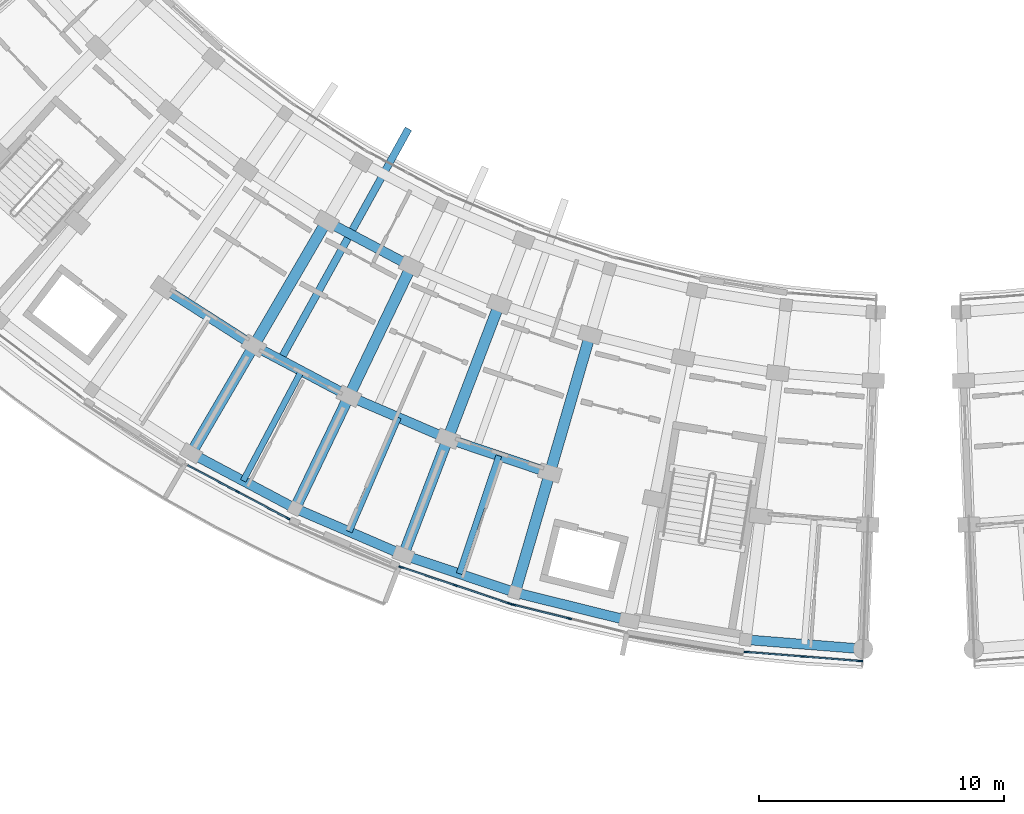
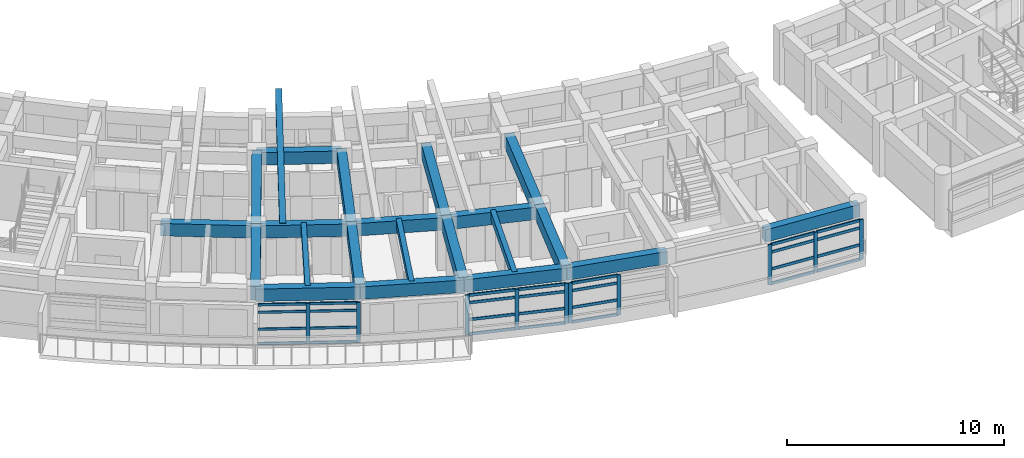
# One storey, part 11 of 70: 38 members, 22 beams, 4 elements without a shape of their own.
"""IFC4 building model written with IfcOpenShell, lengths in metres."""

from ifc_helpers import new_model, si_unit, direction, frame, origin, origin_2d, place, context, subcontext, project, spatial, rectangle, extrude, material, material_profile, profile_set, type_object, element, aggregate, save


model = new_model("IFC4")

# Units and contexts
model_context = context("Model", 3, precision=1e-05, world=origin(), true_north=direction((0.0, 1.0)))
body_context = subcontext(model_context, "Body", "Model", "MODEL_VIEW")
ifc_project = project(units=[si_unit("LENGTHUNIT", "METRE"), si_unit("AREAUNIT", "SQUARE_METRE"), si_unit("VOLUMEUNIT", "CUBIC_METRE"), si_unit("PLANEANGLEUNIT", "RADIAN"), si_unit("MASSUNIT", "GRAM", prefix="KILO")], contexts=[model_context])

# Site, building, storey
site_placement = place(None, origin())
site = spatial("IfcSite", under=ifc_project, at=site_placement, CompositionType="ELEMENT")
building_placement = place(site_placement, origin())
building = spatial("IfcBuilding", under=site, at=building_placement, Name="Zimvara Arc Housing Community", CompositionType="ELEMENT")
storey_placement = place(building_placement, frame((0.0, 0.0, 8.10009765625)))
storey = spatial("IfcBuildingStorey", under=building, at=storey_placement, Name="L02", CompositionType="ELEMENT", Elevation=8.10009765625)

# Beams
ifc_material_1 = material(Name="Concrete C40/50", Category="concrete")
ifc_material_profile_1 = material_profile(ifc_material_1, rectangle(XDim=0.25, YDim=0.449951171875, at=origin_2d()), Name="RC 250x450")
ifc_profile_set_1 = profile_set([ifc_material_profile_1], Name="Concrete C40/50")
beam_type_1 = type_object("IfcBeamType", Name="BM-RC-250x450", PredefinedType="JOIST", material=ifc_profile_set_1)
for number, where, z_axis, x_axis, name in (
    (1, (100.793212890625, 62.37060546875, 2.65478515625), (-0.46853732736, -0.883443701019, 0.0), (0.883443701019, -0.46853732736, 0.0), "bm:blkC:L02:joist:b4"),
    (2, (104.751953125, 60.473876953125, 2.65478515625), (-0.394946561353, -0.918704094731, 0.0), (0.918704094731, -0.394946561353, 0.0), "bm:blkC:L02:joist:b5"),
    (3, (108.85205078125, 58.906494140625, 2.65478515625), (-0.318622196545, -0.947881794249, 0.0), (0.947881794249, -0.318622196545, 0.0), "bm:blkC:L02:joist:b6"),
):
    element("IfcBeam", number, at=place(storey_placement, frame(where, z_axis=z_axis, x_axis=x_axis)), inside=storey, type_object=beam_type_1, Name=name, PredefinedType="JOIST", context=body_context, shape_type="SweptSolid", body=[
        extrude(rectangle(XDim=0.25, YDim=0.449951171875, at=origin_2d()), origin(), (0.0, 0.0, 1.0), 5.07568359375),
    ])
ifc_material_2 = material(Name="Concrete C40/50", Category="concrete")
ifc_material_profile_2 = material_profile(ifc_material_2, rectangle(XDim=0.300048828125, YDim=0.449951171875, at=origin_2d()), Name="RC 300x450")
ifc_profile_set_2 = profile_set([ifc_material_profile_2], Name="Concrete C40/50")
beam_type_2 = type_object("IfcBeamType", Name="BM-RC-300x450", PredefinedType="JOIST", material=ifc_profile_set_2)
beam_1_placement = place(storey_placement, frame((99.922119140625, 62.791748046875, 2.664794921875), z_axis=(0.484356901768, 0.874870499965, 0.0), x_axis=(-0.874870499965, 0.484356901768, 0.0)))
element("IfcBeam", 4, at=beam_1_placement, inside=storey, type_object=beam_type_2, Name="bm:blkC:L02:cant_in:b4", PredefinedType="JOIST", context=body_context, shape_type="SweptSolid", body=[
    extrude(rectangle(XDim=0.300048828125, YDim=0.449951171875, at=origin_2d()), origin(), (0.0, 0.0, 1.0), 10.820068359375),
])
ifc_material_3 = material(Name="Concrete C40/50", Category="concrete")
ifc_material_profile_3 = material_profile(ifc_material_3, rectangle(XDim=0.39990234375, YDim=0.699951171875, at=origin_2d()), Name="RC 400x700")
ifc_profile_set_3 = profile_set([ifc_material_profile_3], Name="Concrete C40/50")
beam_type_3 = type_object("IfcBeamType", Name="BM-RC-400x700", PredefinedType="BEAM", material=ifc_profile_set_3)
beam_2_placement = place(storey_placement, frame((101.8173828125, 68.4775390625, 2.52978515625), z_axis=(0.883464449706, -0.468498202884, 0.0), x_axis=(0.468498202884, 0.883464449706, 0.0)))
element("IfcBeam", 5, at=beam_2_placement, inside=storey, type_object=beam_type_3, Name="bm:blkC:L02:chord:r1:b4", PredefinedType="BEAM", context=body_context, shape_type="SweptSolid", body=[
    extrude(rectangle(XDim=0.39990234375, YDim=0.699951171875, at=origin_2d()), origin(), (0.0, 0.0, 1.0), 3.9130859375),
])
beam_3_placement = place(storey_placement, frame((95.15234375, 65.76806640625, 2.52978515625), z_axis=(0.842267363538, -0.539060004376, 0.0), x_axis=(0.539060004376, 0.842267363538, 0.0)))
element("IfcBeam", 6, at=beam_3_placement, inside=storey, type_object=beam_type_3, Name="bm:blkC:L02:chord:r2:b3", PredefinedType="BEAM", context=body_context, shape_type="SweptSolid", body=[
    extrude(rectangle(XDim=0.39990234375, YDim=0.699951171875, at=origin_2d()), origin(), (0.0, 0.0, 1.0), 4.39306640625),
])
beam_4_placement = place(storey_placement, frame((98.8525390625, 63.39990234375, 2.52978515625), z_axis=(0.883433524437, -0.468556515162, 0.0), x_axis=(0.468556515162, 0.883433524437, 0.0)))
element("IfcBeam", 7, at=beam_4_placement, inside=storey, type_object=beam_type_3, Name="bm:blkC:L02:chord:r2:b4", PredefinedType="BEAM", context=body_context, shape_type="SweptSolid", body=[
    extrude(rectangle(XDim=0.39990234375, YDim=0.699951171875, at=origin_2d()), origin(), (0.0, 0.0, 1.0), 4.3935546875),
])
for number, where, z_axis, x_axis, name in (
    (8, (102.73388671875, 61.34130859375, 2.52978515625), (0.918724840088, -0.394898301093, 0.0), (0.394898301093, 0.918724840088, 0.0), "bm:blkC:L02:chord:r2:b5"),
    (9, (106.77001953125, 59.6064453125, 2.52978515625), (0.947891222174, -0.318594147665, 0.0), (0.318594147665, 0.947891222174, 0.0), "bm:blkC:L02:chord:r2:b6"),
):
    element("IfcBeam", number, at=place(storey_placement, frame(where, z_axis=z_axis, x_axis=x_axis)), inside=storey, type_object=beam_type_3, Name=name, PredefinedType="BEAM", context=body_context, shape_type="SweptSolid", body=[
        extrude(rectangle(XDim=0.39990234375, YDim=0.699951171875, at=origin_2d()), origin(), (0.0, 0.0, 1.0), 4.393310546875),
    ])
for number, where, z_axis, x_axis, name in (
    (10, (96.291259765625, 59.012939453125, 2.52978515625), (0.883424523434, -0.468573485587, 0.0), (0.468573485587, 0.883424523434, 0.0), "bm:blkC:L02:chord:r3:b4"),
    (11, (100.538818359375, 56.760009765625, 2.52978515625), (0.918724276228, -0.394899612901, 0.0), (0.394899612901, 0.918724276228, 0.0), "bm:blkC:L02:chord:r3:b5"),
):
    element("IfcBeam", number, at=place(storey_placement, frame(where, z_axis=z_axis, x_axis=x_axis)), inside=storey, type_object=beam_type_3, Name=name, PredefinedType="BEAM", context=body_context, shape_type="SweptSolid", body=[
        extrude(rectangle(XDim=0.39990234375, YDim=0.699951171875, at=origin_2d()), origin(), (0.0, 0.0, 1.0), 4.80810546875),
    ])
beam_5_placement = place(storey_placement, frame((104.9560546875, 54.861328125, 2.52978515625), z_axis=(0.947877948153, -0.31863363822, 0.0), x_axis=(0.31863363822, 0.947877948153, 0.0)))
element("IfcBeam", 12, at=beam_5_placement, inside=storey, type_object=beam_type_3, Name="bm:blkC:L02:chord:r3:b6", PredefinedType="BEAM", context=body_context, shape_type="SweptSolid", body=[
    extrude(rectangle(XDim=0.39990234375, YDim=0.699951171875, at=origin_2d()), origin(), (0.0, 0.0, 1.0), 4.807861328125),
])
beam_6_placement = place(storey_placement, frame((109.513427734375, 53.329345703125, 2.52978515625), z_axis=(0.970719165502, -0.240217196986, 0.0), x_axis=(0.240217196986, 0.970719165502, 0.0)))
element("IfcBeam", 13, at=beam_6_placement, inside=storey, type_object=beam_type_3, Name="bm:blkC:L02:chord:r3:b7", PredefinedType="BEAM", context=body_context, shape_type="SweptSolid", body=[
    extrude(rectangle(XDim=0.39990234375, YDim=0.699951171875, at=origin_2d()), origin(), (0.0, 0.0, 1.0), 4.808349609375),
])
beam_7_placement = place(storey_placement, frame((118.9267578125, 51.404052734375, 2.52978515625), z_axis=(0.996861768207, -0.0791619548, 0.0), x_axis=(0.0791619548, 0.996861768207, 0.0)))
element("IfcBeam", 14, at=beam_7_placement, inside=storey, type_object=beam_type_3, Name="bm:blkC:L02:chord:r3:b9", PredefinedType="BEAM", context=body_context, shape_type="SweptSolid", body=[
    extrude(rectangle(XDim=0.39990234375, YDim=0.699951171875, at=origin_2d()), origin(), (0.0, 0.0, 1.0), 4.80810546875),
])
ifc_material_4 = material(Name="Concrete C40/50", Category="concrete")
ifc_material_profile_4 = material_profile(ifc_material_4, rectangle(XDim=0.449951171875, YDim=0.75, at=origin_2d()), Name="RC 450x750")
ifc_profile_set_4 = profile_set([ifc_material_profile_4], Name="Concrete C40/50")
beam_type_4 = type_object("IfcBeamType", Name="BM-RC-450x750", PredefinedType="BEAM", material=ifc_profile_set_4)
beam_8_placement = place(storey_placement, frame((101.8173828125, 68.4775390625, 2.5048828125), z_axis=(-0.504237574462, -0.863564976421, 0.0), x_axis=(0.863564976421, -0.504237574462, 0.0)))
element("IfcBeam", 15, at=beam_8_placement, inside=storey, type_object=beam_type_4, Name="bm:blkC:L02:rad:b4:r12", PredefinedType="BEAM", context=body_context, shape_type="SweptSolid", body=[
    extrude(rectangle(XDim=0.449951171875, YDim=0.75, at=origin_2d()), origin(), (0.0, 0.0, 1.0), 5.8798828125),
])
beam_9_placement = place(storey_placement, frame((98.8525390625, 63.39990234375, 2.5048828125), z_axis=(-0.504196701544, -0.863588840915, 0.0), x_axis=(0.863588840915, -0.504196701544, 0.0)))
element("IfcBeam", 16, at=beam_9_placement, inside=storey, type_object=beam_type_4, Name="bm:blkC:L02:rad:b4:r23", PredefinedType="BEAM", context=body_context, shape_type="SweptSolid", body=[
    extrude(rectangle(XDim=0.449951171875, YDim=0.75, at=origin_2d()), origin(), (0.0, 0.0, 1.0), 5.079833984375),
])
beam_10_placement = place(storey_placement, frame((105.2744140625, 66.644287109375, 2.5048828125), z_axis=(-0.432053349188, -0.901848048983, 0.0), x_axis=(0.901848048983, -0.432053349188, 0.0)))
element("IfcBeam", 17, at=beam_10_placement, inside=storey, type_object=beam_type_4, Name="bm:blkC:L02:rad:b5:r12", PredefinedType="BEAM", context=body_context, shape_type="SweptSolid", body=[
    extrude(rectangle(XDim=0.449951171875, YDim=0.75, at=origin_2d()), origin(), (0.0, 0.0, 1.0), 5.880126953125),
])
beam_11_placement = place(storey_placement, frame((102.73388671875, 61.34130859375, 2.5048828125), z_axis=(-0.432098194978, -0.901826563091, 0.0), x_axis=(0.901826563091, -0.432098194978, 0.0)))
element("IfcBeam", 18, at=beam_11_placement, inside=storey, type_object=beam_type_4, Name="bm:blkC:L02:rad:b5:r23", PredefinedType="BEAM", context=body_context, shape_type="SweptSolid", body=[
    extrude(rectangle(XDim=0.449951171875, YDim=0.75, at=origin_2d()), origin(), (0.0, 0.0, 1.0), 5.080078125),
])
beam_12_placement = place(storey_placement, frame((108.869384765625, 65.098876953125, 2.5048828125), z_axis=(-0.357036247742, -0.934090529766, 0.0), x_axis=(0.934090529766, -0.357036247742, 0.0)))
element("IfcBeam", 19, at=beam_12_placement, inside=storey, type_object=beam_type_4, Name="bm:blkC:L02:rad:b6:r12", PredefinedType="BEAM", context=body_context, shape_type="SweptSolid", body=[
    extrude(rectangle(XDim=0.449951171875, YDim=0.75, at=origin_2d()), origin(), (0.0, 0.0, 1.0), 5.8798828125),
])
beam_13_placement = place(storey_placement, frame((106.77001953125, 59.6064453125, 2.5048828125), z_axis=(-0.357078271386, -0.934074466038, 0.0), x_axis=(0.934074466038, -0.357078271386, 0.0)))
element("IfcBeam", 20, at=beam_13_placement, inside=storey, type_object=beam_type_4, Name="bm:blkC:L02:rad:b6:r23", PredefinedType="BEAM", context=body_context, shape_type="SweptSolid", body=[
    extrude(rectangle(XDim=0.449951171875, YDim=0.75, at=origin_2d()), origin(), (0.0, 0.0, 1.0), 5.080078125),
])
beam_14_placement = place(storey_placement, frame((112.57861328125, 63.85205078125, 2.5048828125), z_axis=(-0.27964761269, -0.960102709462, 0.0), x_axis=(0.960102709462, -0.27964761269, 0.0)))
element("IfcBeam", 21, at=beam_14_placement, inside=storey, type_object=beam_type_4, Name="bm:blkC:L02:rad:b7:r12", PredefinedType="BEAM", context=body_context, shape_type="SweptSolid", body=[
    extrude(rectangle(XDim=0.449951171875, YDim=0.75, at=origin_2d()), origin(), (0.0, 0.0, 1.0), 5.8798828125),
])
beam_15_placement = place(storey_placement, frame((110.934326171875, 58.206787109375, 2.5048828125), z_axis=(-0.279693649113, -0.960089299308, 0.0), x_axis=(0.960089299308, -0.279693649113, 0.0)))
element("IfcBeam", 22, at=beam_15_placement, inside=storey, type_object=beam_type_4, Name="bm:blkC:L02:rad:b7:r23", PredefinedType="BEAM", context=body_context, shape_type="SweptSolid", body=[
    extrude(rectangle(XDim=0.449951171875, YDim=0.75, at=origin_2d()), origin(), (0.0, 0.0, 1.0), 5.080078125),
])

# Curtain wall, members
ifc_material_5 = material(Name="Anodised Aluminium AW-6063", Category="aluminium")
curtain_wall_type_1 = type_object("IfcCurtainWallType", Name="CW-SYS-02", PredefinedType="USERDEFINED", material=ifc_material_5)
curtain_wall_1_placement = place(storey_placement, origin())
curtain_wall_1 = element("IfcCurtainWall", 23, at=curtain_wall_1_placement, inside=storey, type_object=curtain_wall_type_1, Name="cw:blkC:L02:out:b4", ObjectType="CURTAIN WALL", PredefinedType="USERDEFINED")
ifc_material_6 = material(Name="Anodised Aluminium AW-6063", Category="aluminium")
ifc_material_profile_5 = material_profile(ifc_material_6, rectangle(XDim=0.06494140625, YDim=0.179931640625, at=origin_2d()), Name="ALU 65x180")
ifc_profile_set_5 = profile_set([ifc_material_profile_5], Name="Anodised Aluminium AW-6063")
member_type_1 = type_object("IfcMemberType", Name="CWM-65x150", PredefinedType="MULLION", material=ifc_profile_set_5)
member_1_placement = place(storey_placement, frame((98.180908203125, 57.445068359375, 0.0), z_axis=(0.0, 0.0, 1.0), x_axis=(0.468546917761, 0.883438614651, 0.0)))
member_1 = element("IfcMember", 24, at=member_1_placement, type_object=member_type_1, Name="CW02 mullion 2", PredefinedType="MULLION", context=body_context, shape_type="SweptSolid", body=[
    extrude(rectangle(XDim=0.06494140625, YDim=0.179931640625, at=origin_2d()), origin(), (0.0, 0.0, 1.0), 2.25),
])
member_2_placement = place(storey_placement, frame((100.240966796875, 56.3525390625, 0.0), z_axis=(0.0, 0.0, 1.0), x_axis=(0.468546917761, 0.883438614651, 0.0)))
member_2 = element("IfcMember", 25, at=member_2_placement, type_object=member_type_1, Name="CW02 mullion 3", PredefinedType="MULLION", context=body_context, shape_type="SweptSolid", body=[
    extrude(rectangle(XDim=0.06494140625, YDim=0.179931640625, at=origin_2d()), origin(), (0.0, 0.0, 1.0), 2.25),
])

ifc_material_7 = material(Name="Anodised Aluminium AW-6063", Category="aluminium")
curtain_wall_type_2 = type_object("IfcCurtainWallType", Name="CW-SYS-05", PredefinedType="USERDEFINED", material=ifc_material_7)
curtain_wall_2_placement = place(storey_placement, origin())
curtain_wall_2 = element("IfcCurtainWall", 26, at=curtain_wall_2_placement, inside=storey, type_object=curtain_wall_type_2, Name="cw:blkC:L02:out:b6", ObjectType="CURTAIN WALL", PredefinedType="USERDEFINED")
ifc_material_8 = material(Name="Anodised Aluminium AW-6063", Category="aluminium")
ifc_material_profile_6 = material_profile(ifc_material_8, rectangle(XDim=0.06494140625, YDim=0.195068359375, at=origin_2d()), Name="ALU 65x195")
ifc_profile_set_6 = profile_set([ifc_material_profile_6], Name="Anodised Aluminium AW-6063")
member_type_2 = type_object("IfcMemberType", Name="CWM-65x180", PredefinedType="MULLION", material=ifc_profile_set_6)
member_3_placement = place(storey_placement, frame((104.865234375, 54.36474609375, 0.0), z_axis=(0.0, 0.0, 1.0), x_axis=(0.318628583921, 0.947879647164, 0.0)))
member_3 = element("IfcMember", 27, at=member_3_placement, type_object=member_type_2, Name="CW05 mullion 1", PredefinedType="MULLION", context=body_context, shape_type="SweptSolid", body=[
    extrude(rectangle(XDim=0.06494140625, YDim=0.195068359375, at=origin_2d()), origin(), (0.0, 0.0, 1.0), 2.25),
])
member_4_placement = place(storey_placement, frame((107.07568359375, 53.621826171875, 0.0), z_axis=(0.0, 0.0, 1.0), x_axis=(0.318628583921, 0.947879647164, 0.0)))
member_4 = element("IfcMember", 28, at=member_4_placement, type_object=member_type_2, Name="CW05 mullion 2", PredefinedType="MULLION", context=body_context, shape_type="SweptSolid", body=[
    extrude(rectangle(XDim=0.06494140625, YDim=0.195068359375, at=origin_2d()), origin(), (0.0, 0.0, 1.0), 2.25),
])
member_5_placement = place(storey_placement, frame((109.2861328125, 52.87890625, 0.0), z_axis=(0.0, 0.0, 1.0), x_axis=(0.318628583921, 0.947879647164, 0.0)))
member_5 = element("IfcMember", 29, at=member_5_placement, type_object=member_type_2, Name="CW05 mullion 3", PredefinedType="MULLION", context=body_context, shape_type="SweptSolid", body=[
    extrude(rectangle(XDim=0.06494140625, YDim=0.195068359375, at=origin_2d()), origin(), (0.0, 0.0, 1.0), 2.25),
])

ifc_material_9 = material(Name="Anodised Aluminium AW-6063", Category="aluminium")
curtain_wall_type_3 = type_object("IfcCurtainWallType", Name="CW-SYS-07", PredefinedType="USERDEFINED", material=ifc_material_9)
curtain_wall_3_placement = place(storey_placement, origin())
curtain_wall_3 = element("IfcCurtainWall", 30, at=curtain_wall_3_placement, inside=storey, type_object=curtain_wall_type_3, Name="cw:blkC:L02:out:b7", ObjectType="CURTAIN WALL", PredefinedType="USERDEFINED")
member_6_placement = place(storey_placement, frame((109.46337890625, 52.8271484375, 0.0), z_axis=(0.0, 0.0, 1.0), x_axis=(0.240229711131, 0.970716068627, 0.0)))
member_6 = element("IfcMember", 31, at=member_6_placement, type_object=member_type_2, Name="CW07 mullion 1", PredefinedType="MULLION", context=body_context, shape_type="SweptSolid", body=[
    extrude(rectangle(XDim=0.06494140625, YDim=0.195068359375, at=origin_2d()), origin(), (0.0, 0.0, 1.0), 2.25),
])
member_7_placement = place(storey_placement, frame((111.72705078125, 52.266845703125, 0.0), z_axis=(0.0, 0.0, 1.0), x_axis=(0.240229711131, 0.970716068627, 0.0)))
member_7 = element("IfcMember", 32, at=member_7_placement, type_object=member_type_2, Name="CW07 mullion 2", PredefinedType="MULLION", context=body_context, shape_type="SweptSolid", body=[
    extrude(rectangle(XDim=0.06494140625, YDim=0.195068359375, at=origin_2d()), origin(), (0.0, 0.0, 1.0), 2.25),
])

ifc_material_10 = material(Name="Anodised Aluminium AW-6063", Category="aluminium")
curtain_wall_type_4 = type_object("IfcCurtainWallType", Name="CW-SYS-01", PredefinedType="USERDEFINED", material=ifc_material_10)
curtain_wall_4_placement = place(storey_placement, origin())
curtain_wall_4 = element("IfcCurtainWall", 33, at=curtain_wall_4_placement, inside=storey, type_object=curtain_wall_type_4, Name="cw:blkC:L02:out:b9", ObjectType="CURTAIN WALL", PredefinedType="USERDEFINED")
member_8_placement = place(storey_placement, frame((118.958984375, 50.900146484375, 0.0), z_axis=(0.0, 0.0, 1.0), x_axis=(0.079153759607, 0.996862418963, 0.0)))
member_8 = element("IfcMember", 34, at=member_8_placement, type_object=member_type_2, Name="CW01 mullion 1", PredefinedType="MULLION", context=body_context, shape_type="SweptSolid", body=[
    extrude(rectangle(XDim=0.06494140625, YDim=0.195068359375, at=origin_2d()), origin(), (0.0, 0.0, 1.0), 2.25),
])
member_9_placement = place(storey_placement, frame((121.28369140625, 50.715576171875, 0.0), z_axis=(0.0, 0.0, 1.0), x_axis=(0.079153759607, 0.996862418963, 0.0)))
member_9 = element("IfcMember", 35, at=member_9_placement, type_object=member_type_2, Name="CW01 mullion 2", PredefinedType="MULLION", context=body_context, shape_type="SweptSolid", body=[
    extrude(rectangle(XDim=0.06494140625, YDim=0.195068359375, at=origin_2d()), origin(), (0.0, 0.0, 1.0), 2.25),
])
member_10_placement = place(storey_placement, frame((123.6083984375, 50.531005859375, 0.0), z_axis=(0.0, 0.0, 1.0), x_axis=(0.079153759607, 0.996862418963, 0.0)))
member_10 = element("IfcMember", 36, at=member_10_placement, type_object=member_type_2, Name="CW01 mullion 3", PredefinedType="MULLION", context=body_context, shape_type="SweptSolid", body=[
    extrude(rectangle(XDim=0.06494140625, YDim=0.195068359375, at=origin_2d()), origin(), (0.0, 0.0, 1.0), 2.25),
])

# Member
ifc_material_11 = material(Name="Anodised Aluminium AW-6063", Category="aluminium")
ifc_material_profile_7 = material_profile(ifc_material_11, rectangle(XDim=0.06494140625, YDim=0.139892578125, at=origin_2d()), Name="ALU 65x140")
ifc_profile_set_7 = profile_set([ifc_material_profile_7], Name="Anodised Aluminium AW-6063")
member_type_3 = type_object("IfcMemberType", Name="CWT-65x120", PredefinedType="USERDEFINED", material=ifc_profile_set_7)
member_11_placement = place(storey_placement, frame((96.1494140625, 58.5224609375, 0.032470703125), z_axis=(0.883465479137, -0.468496261642, 0.0), x_axis=(0.468496261642, 0.883465479137, 0.0)))
member_11 = element("IfcMember", 37, at=member_11_placement, type_object=member_type_3, Name="CW02 transom 1.1", ObjectType="TRANSOM", PredefinedType="USERDEFINED", context=body_context, shape_type="SweptSolid", body=[
    extrude(rectangle(XDim=0.06494140625, YDim=0.139892578125, at=origin_2d()), origin(), (0.0, 0.0, 1.0), 2.266845703125),
])

member_12_placement = place(storey_placement, frame((96.1494140625, 58.5224609375, 0.849853515625), z_axis=(0.883465479137, -0.468496261642, 0.0), x_axis=(0.468496261642, 0.883465479137, 0.0)))
member_12 = element("IfcMember", 38, at=member_12_placement, type_object=member_type_3, Name="CW02 transom 1.2", ObjectType="TRANSOM", PredefinedType="USERDEFINED", context=body_context, shape_type="SweptSolid", body=[
    extrude(rectangle(XDim=0.06494140625, YDim=0.139892578125, at=origin_2d()), origin(), (0.0, 0.0, 1.0), 2.266845703125),
])

member_13_placement = place(storey_placement, frame((96.1494140625, 58.5224609375, 1.7998046875), z_axis=(0.883465479137, -0.468496261642, 0.0), x_axis=(0.468496261642, 0.883465479137, 0.0)))
member_13 = element("IfcMember", 39, at=member_13_placement, type_object=member_type_3, Name="CW02 transom 1.3", ObjectType="TRANSOM", PredefinedType="USERDEFINED", context=body_context, shape_type="SweptSolid", body=[
    extrude(rectangle(XDim=0.06494140625, YDim=0.139892578125, at=origin_2d()), origin(), (0.0, 0.0, 1.0), 2.266845703125),
])

member_14_placement = place(storey_placement, frame((96.1494140625, 58.5224609375, 2.21728515625), z_axis=(0.883465479137, -0.468496261642, 0.0), x_axis=(0.468496261642, 0.883465479137, 0.0)))
member_14 = element("IfcMember", 40, at=member_14_placement, type_object=member_type_3, Name="CW02 transom 1.4", ObjectType="TRANSOM", PredefinedType="USERDEFINED", context=body_context, shape_type="SweptSolid", body=[
    extrude(rectangle(XDim=0.06494140625, YDim=0.139892578125, at=origin_2d()), origin(), (0.0, 0.0, 1.0), 2.266845703125),
])

member_15_placement = place(storey_placement, frame((98.209716796875, 57.429931640625, 0.032470703125), z_axis=(0.883420900208, -0.468580316568, 0.0), x_axis=(0.468580316568, 0.883420900208, 0.0)))
member_15 = element("IfcMember", 41, at=member_15_placement, type_object=member_type_3, Name="CW02 transom 2.1", ObjectType="TRANSOM", PredefinedType="USERDEFINED", context=body_context, shape_type="SweptSolid", body=[
    extrude(rectangle(XDim=0.06494140625, YDim=0.139892578125, at=origin_2d()), origin(), (0.0, 0.0, 1.0), 2.266845703125),
])

member_16_placement = place(storey_placement, frame((98.209716796875, 57.429931640625, 0.849853515625), z_axis=(0.883420900208, -0.468580316568, 0.0), x_axis=(0.468580316568, 0.883420900208, 0.0)))
member_16 = element("IfcMember", 42, at=member_16_placement, type_object=member_type_3, Name="CW02 transom 2.2", ObjectType="TRANSOM", PredefinedType="USERDEFINED", context=body_context, shape_type="SweptSolid", body=[
    extrude(rectangle(XDim=0.06494140625, YDim=0.139892578125, at=origin_2d()), origin(), (0.0, 0.0, 1.0), 2.266845703125),
])

member_17_placement = place(storey_placement, frame((98.209716796875, 57.429931640625, 1.7998046875), z_axis=(0.883420900208, -0.468580316568, 0.0), x_axis=(0.468580316568, 0.883420900208, 0.0)))
member_17 = element("IfcMember", 43, at=member_17_placement, type_object=member_type_3, Name="CW02 transom 2.3", ObjectType="TRANSOM", PredefinedType="USERDEFINED", context=body_context, shape_type="SweptSolid", body=[
    extrude(rectangle(XDim=0.06494140625, YDim=0.139892578125, at=origin_2d()), origin(), (0.0, 0.0, 1.0), 2.266845703125),
])

member_18_placement = place(storey_placement, frame((98.209716796875, 57.429931640625, 2.21728515625), z_axis=(0.883420900208, -0.468580316568, 0.0), x_axis=(0.468580316568, 0.883420900208, 0.0)))
member_18 = element("IfcMember", 44, at=member_18_placement, type_object=member_type_3, Name="CW02 transom 2.4", ObjectType="TRANSOM", PredefinedType="USERDEFINED", context=body_context, shape_type="SweptSolid", body=[
    extrude(rectangle(XDim=0.06494140625, YDim=0.139892578125, at=origin_2d()), origin(), (0.0, 0.0, 1.0), 2.266845703125),
])

aggregate(curtain_wall_1, [member_1, member_2, member_11, member_12, member_13, member_14, member_15, member_16, member_17, member_18])

ifc_material_12 = material(Name="Anodised Aluminium AW-6063", Category="aluminium")
ifc_material_profile_8 = material_profile(ifc_material_12, rectangle(XDim=0.06494140625, YDim=0.155029296875, at=origin_2d()), Name="ALU 65x155")
ifc_profile_set_8 = profile_set([ifc_material_profile_8], Name="Anodised Aluminium AW-6063")
member_type_4 = type_object("IfcMemberType", Name="CWT-65x140", PredefinedType="USERDEFINED", material=ifc_profile_set_8)
member_19_placement = place(storey_placement, frame((104.89599609375, 54.3544921875, 0.032470703125), z_axis=(0.947872541471, -0.318649721678, 0.0), x_axis=(0.318649721678, 0.947872541471, 0.0)))
member_19 = element("IfcMember", 45, at=member_19_placement, type_object=member_type_4, Name="CW05 transom 1.1", ObjectType="TRANSOM", PredefinedType="USERDEFINED", context=body_context, shape_type="SweptSolid", body=[
    extrude(rectangle(XDim=0.06494140625, YDim=0.155029296875, at=origin_2d()), origin(), (0.0, 0.0, 1.0), 2.26708984375),
])

member_20_placement = place(storey_placement, frame((104.89599609375, 54.3544921875, 0.849853515625), z_axis=(0.947872541471, -0.318649721678, 0.0), x_axis=(0.318649721678, 0.947872541471, 0.0)))
member_20 = element("IfcMember", 46, at=member_20_placement, type_object=member_type_4, Name="CW05 transom 1.2", ObjectType="TRANSOM", PredefinedType="USERDEFINED", context=body_context, shape_type="SweptSolid", body=[
    extrude(rectangle(XDim=0.06494140625, YDim=0.155029296875, at=origin_2d()), origin(), (0.0, 0.0, 1.0), 2.26708984375),
])

member_21_placement = place(storey_placement, frame((104.89599609375, 54.3544921875, 1.7998046875), z_axis=(0.947872541471, -0.318649721678, 0.0), x_axis=(0.318649721678, 0.947872541471, 0.0)))
member_21 = element("IfcMember", 47, at=member_21_placement, type_object=member_type_4, Name="CW05 transom 1.3", ObjectType="TRANSOM", PredefinedType="USERDEFINED", context=body_context, shape_type="SweptSolid", body=[
    extrude(rectangle(XDim=0.06494140625, YDim=0.155029296875, at=origin_2d()), origin(), (0.0, 0.0, 1.0), 2.26708984375),
])

member_22_placement = place(storey_placement, frame((104.89599609375, 54.3544921875, 2.21728515625), z_axis=(0.947872541471, -0.318649721678, 0.0), x_axis=(0.318649721678, 0.947872541471, 0.0)))
member_22 = element("IfcMember", 48, at=member_22_placement, type_object=member_type_4, Name="CW05 transom 1.4", ObjectType="TRANSOM", PredefinedType="USERDEFINED", context=body_context, shape_type="SweptSolid", body=[
    extrude(rectangle(XDim=0.06494140625, YDim=0.155029296875, at=origin_2d()), origin(), (0.0, 0.0, 1.0), 2.26708984375),
])

member_23_placement = place(storey_placement, frame((107.1064453125, 53.611572265625, 0.032470703125), z_axis=(0.947861605379, -0.318682250916, 0.0), x_axis=(0.318682250916, 0.947861605379, 0.0)))
member_23 = element("IfcMember", 49, at=member_23_placement, type_object=member_type_4, Name="CW05 transom 2.1", ObjectType="TRANSOM", PredefinedType="USERDEFINED", context=body_context, shape_type="SweptSolid", body=[
    extrude(rectangle(XDim=0.06494140625, YDim=0.155029296875, at=origin_2d()), origin(), (0.0, 0.0, 1.0), 2.266845703125),
])

member_24_placement = place(storey_placement, frame((107.1064453125, 53.611572265625, 0.849853515625), z_axis=(0.947861605379, -0.318682250916, 0.0), x_axis=(0.318682250916, 0.947861605379, 0.0)))
member_24 = element("IfcMember", 50, at=member_24_placement, type_object=member_type_4, Name="CW05 transom 2.2", ObjectType="TRANSOM", PredefinedType="USERDEFINED", context=body_context, shape_type="SweptSolid", body=[
    extrude(rectangle(XDim=0.06494140625, YDim=0.155029296875, at=origin_2d()), origin(), (0.0, 0.0, 1.0), 2.266845703125),
])

member_25_placement = place(storey_placement, frame((107.1064453125, 53.611572265625, 1.7998046875), z_axis=(0.947861605379, -0.318682250916, 0.0), x_axis=(0.318682250916, 0.947861605379, 0.0)))
member_25 = element("IfcMember", 51, at=member_25_placement, type_object=member_type_4, Name="CW05 transom 2.3", ObjectType="TRANSOM", PredefinedType="USERDEFINED", context=body_context, shape_type="SweptSolid", body=[
    extrude(rectangle(XDim=0.06494140625, YDim=0.155029296875, at=origin_2d()), origin(), (0.0, 0.0, 1.0), 2.266845703125),
])

member_26_placement = place(storey_placement, frame((107.1064453125, 53.611572265625, 2.21728515625), z_axis=(0.947861605379, -0.318682250916, 0.0), x_axis=(0.318682250916, 0.947861605379, 0.0)))
member_26 = element("IfcMember", 52, at=member_26_placement, type_object=member_type_4, Name="CW05 transom 2.4", ObjectType="TRANSOM", PredefinedType="USERDEFINED", context=body_context, shape_type="SweptSolid", body=[
    extrude(rectangle(XDim=0.06494140625, YDim=0.155029296875, at=origin_2d()), origin(), (0.0, 0.0, 1.0), 2.266845703125),
])

aggregate(curtain_wall_2, [member_3, member_4, member_5, member_19, member_20, member_21, member_22, member_23, member_24, member_25, member_26])

member_27_placement = place(storey_placement, frame((109.4951171875, 52.8193359375, 0.032470703125), z_axis=(0.970703721793, -0.240279596507, 0.0), x_axis=(0.240279596507, 0.970703721793, 0.0)))
member_27 = element("IfcMember", 53, at=member_27_placement, type_object=member_type_4, Name="CW07 transom 1.1", ObjectType="TRANSOM", PredefinedType="USERDEFINED", context=body_context, shape_type="SweptSolid", body=[
    extrude(rectangle(XDim=0.06494140625, YDim=0.155029296875, at=origin_2d()), origin(), (0.0, 0.0, 1.0), 2.266845703125),
])

member_28_placement = place(storey_placement, frame((109.4951171875, 52.8193359375, 0.849853515625), z_axis=(0.970703721793, -0.240279596507, 0.0), x_axis=(0.240279596507, 0.970703721793, 0.0)))
member_28 = element("IfcMember", 54, at=member_28_placement, type_object=member_type_4, Name="CW07 transom 1.2", ObjectType="TRANSOM", PredefinedType="USERDEFINED", context=body_context, shape_type="SweptSolid", body=[
    extrude(rectangle(XDim=0.06494140625, YDim=0.155029296875, at=origin_2d()), origin(), (0.0, 0.0, 1.0), 2.266845703125),
])

member_29_placement = place(storey_placement, frame((109.4951171875, 52.8193359375, 1.7998046875), z_axis=(0.970703721793, -0.240279596507, 0.0), x_axis=(0.240279596507, 0.970703721793, 0.0)))
member_29 = element("IfcMember", 55, at=member_29_placement, type_object=member_type_4, Name="CW07 transom 1.3", ObjectType="TRANSOM", PredefinedType="USERDEFINED", context=body_context, shape_type="SweptSolid", body=[
    extrude(rectangle(XDim=0.06494140625, YDim=0.155029296875, at=origin_2d()), origin(), (0.0, 0.0, 1.0), 2.266845703125),
])

member_30_placement = place(storey_placement, frame((109.4951171875, 52.8193359375, 2.21728515625), z_axis=(0.970703721793, -0.240279596507, 0.0), x_axis=(0.240279596507, 0.970703721793, 0.0)))
member_30 = element("IfcMember", 56, at=member_30_placement, type_object=member_type_4, Name="CW07 transom 1.4", ObjectType="TRANSOM", PredefinedType="USERDEFINED", context=body_context, shape_type="SweptSolid", body=[
    extrude(rectangle(XDim=0.06494140625, YDim=0.155029296875, at=origin_2d()), origin(), (0.0, 0.0, 1.0), 2.266845703125),
])

aggregate(curtain_wall_3, [member_6, member_7, member_27, member_28, member_29, member_30])

member_31_placement = place(storey_placement, frame((118.991455078125, 50.897705078125, 0.032470703125), z_axis=(0.996862021022, -0.079158771116, 0.0), x_axis=(0.079158771116, 0.996862021022, 0.0)))
member_31 = element("IfcMember", 57, at=member_31_placement, type_object=member_type_4, Name="CW01 transom 1.1", ObjectType="TRANSOM", PredefinedType="USERDEFINED", context=body_context, shape_type="SweptSolid", body=[
    extrude(rectangle(XDim=0.06494140625, YDim=0.155029296875, at=origin_2d()), origin(), (0.0, 0.0, 1.0), 2.266845703125),
])

member_32_placement = place(storey_placement, frame((118.991455078125, 50.897705078125, 0.849853515625), z_axis=(0.996862021022, -0.079158771116, 0.0), x_axis=(0.079158771116, 0.996862021022, 0.0)))
member_32 = element("IfcMember", 58, at=member_32_placement, type_object=member_type_4, Name="CW01 transom 1.2", ObjectType="TRANSOM", PredefinedType="USERDEFINED", context=body_context, shape_type="SweptSolid", body=[
    extrude(rectangle(XDim=0.06494140625, YDim=0.155029296875, at=origin_2d()), origin(), (0.0, 0.0, 1.0), 2.266845703125),
])

member_33_placement = place(storey_placement, frame((118.991455078125, 50.897705078125, 1.7998046875), z_axis=(0.996862021022, -0.079158771116, 0.0), x_axis=(0.079158771116, 0.996862021022, 0.0)))
member_33 = element("IfcMember", 59, at=member_33_placement, type_object=member_type_4, Name="CW01 transom 1.3", ObjectType="TRANSOM", PredefinedType="USERDEFINED", context=body_context, shape_type="SweptSolid", body=[
    extrude(rectangle(XDim=0.06494140625, YDim=0.155029296875, at=origin_2d()), origin(), (0.0, 0.0, 1.0), 2.266845703125),
])

member_34_placement = place(storey_placement, frame((118.991455078125, 50.897705078125, 2.21728515625), z_axis=(0.996862021022, -0.079158771116, 0.0), x_axis=(0.079158771116, 0.996862021022, 0.0)))
member_34 = element("IfcMember", 60, at=member_34_placement, type_object=member_type_4, Name="CW01 transom 1.4", ObjectType="TRANSOM", PredefinedType="USERDEFINED", context=body_context, shape_type="SweptSolid", body=[
    extrude(rectangle(XDim=0.06494140625, YDim=0.155029296875, at=origin_2d()), origin(), (0.0, 0.0, 1.0), 2.266845703125),
])

member_35_placement = place(storey_placement, frame((121.316162109375, 50.713134765625, 0.032470703125), z_axis=(0.996862021022, -0.079158771116, 0.0), x_axis=(0.079158771116, 0.996862021022, 0.0)))
member_35 = element("IfcMember", 61, at=member_35_placement, type_object=member_type_4, Name="CW01 transom 2.1", ObjectType="TRANSOM", PredefinedType="USERDEFINED", context=body_context, shape_type="SweptSolid", body=[
    extrude(rectangle(XDim=0.06494140625, YDim=0.155029296875, at=origin_2d()), origin(), (0.0, 0.0, 1.0), 2.266845703125),
])

member_36_placement = place(storey_placement, frame((121.316162109375, 50.713134765625, 0.849853515625), z_axis=(0.996862021022, -0.079158771116, 0.0), x_axis=(0.079158771116, 0.996862021022, 0.0)))
member_36 = element("IfcMember", 62, at=member_36_placement, type_object=member_type_4, Name="CW01 transom 2.2", ObjectType="TRANSOM", PredefinedType="USERDEFINED", context=body_context, shape_type="SweptSolid", body=[
    extrude(rectangle(XDim=0.06494140625, YDim=0.155029296875, at=origin_2d()), origin(), (0.0, 0.0, 1.0), 2.266845703125),
])

member_37_placement = place(storey_placement, frame((121.316162109375, 50.713134765625, 1.7998046875), z_axis=(0.996862021022, -0.079158771116, 0.0), x_axis=(0.079158771116, 0.996862021022, 0.0)))
member_37 = element("IfcMember", 63, at=member_37_placement, type_object=member_type_4, Name="CW01 transom 2.3", ObjectType="TRANSOM", PredefinedType="USERDEFINED", context=body_context, shape_type="SweptSolid", body=[
    extrude(rectangle(XDim=0.06494140625, YDim=0.155029296875, at=origin_2d()), origin(), (0.0, 0.0, 1.0), 2.266845703125),
])

member_38_placement = place(storey_placement, frame((121.316162109375, 50.713134765625, 2.21728515625), z_axis=(0.996862021022, -0.079158771116, 0.0), x_axis=(0.079158771116, 0.996862021022, 0.0)))
member_38 = element("IfcMember", 64, at=member_38_placement, type_object=member_type_4, Name="CW01 transom 2.4", ObjectType="TRANSOM", PredefinedType="USERDEFINED", context=body_context, shape_type="SweptSolid", body=[
    extrude(rectangle(XDim=0.06494140625, YDim=0.155029296875, at=origin_2d()), origin(), (0.0, 0.0, 1.0), 2.266845703125),
])

aggregate(curtain_wall_4, [member_8, member_9, member_10, member_31, member_32, member_33, member_34, member_35, member_36, member_37, member_38])

save(model, "model.ifc")
